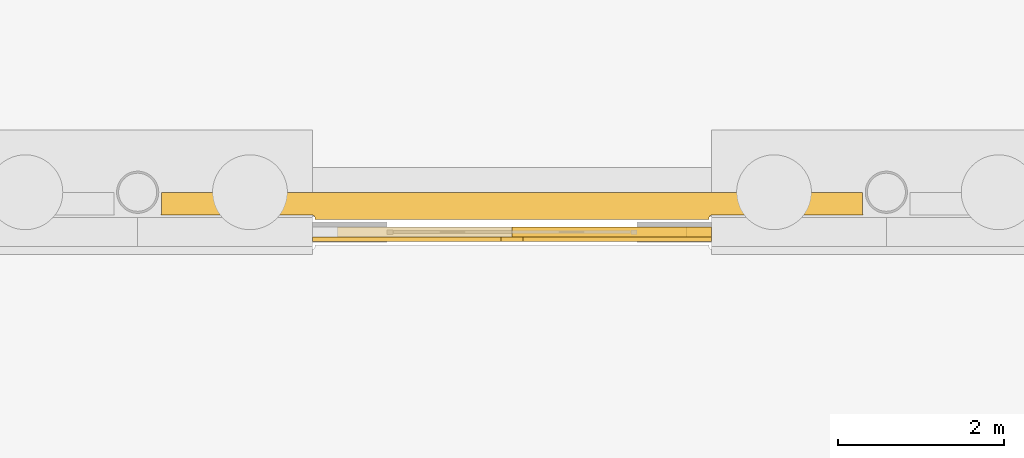
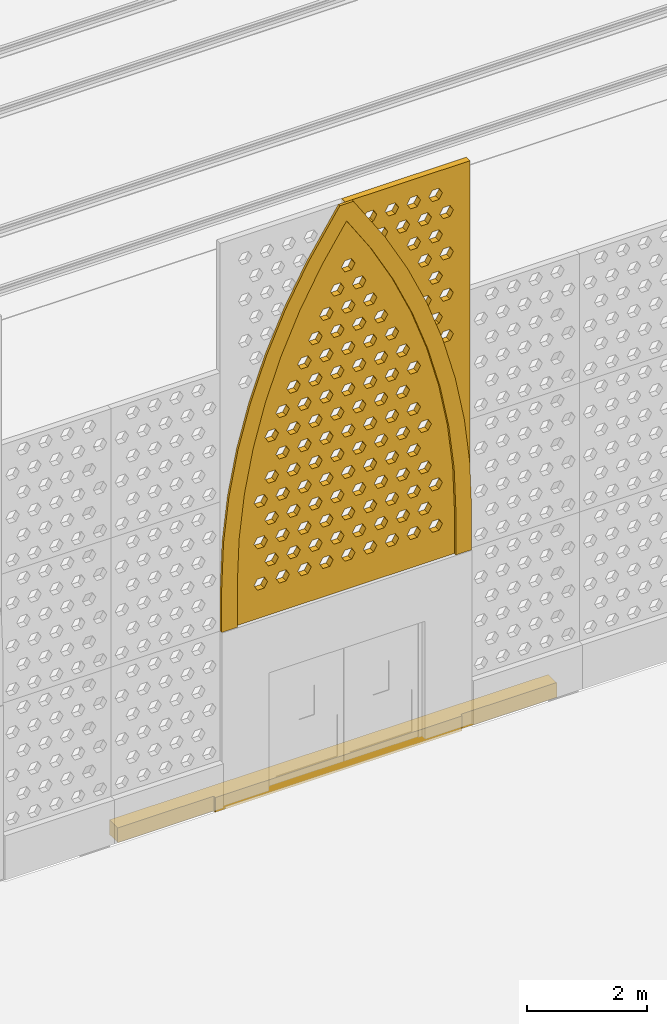
# One storey, part 201 of 250: 2 coverings, 2 shading devices.
"""IFC4 building model written with IfcOpenShell, lengths in metres."""

import ifcopenshell
import ifcopenshell.guid

model = None  # the IFC model being written
_history = None  # IfcOwnerHistory: only IFC2X3 demands one
_inside = {}  # id of a spatial element -> (the spatial element, [elements in it])
_under = {}  # id of a project, library or spatial element -> (it, [spatial elements below it])
_declared = {}  # id of a project -> (the project, [libraries it declares])
_typed = {}  # id of a type object -> (the type object, [elements of that type])
_made_of = {}  # id of a material, layer set ... -> (it, [elements and type objects made of it])


def new_model(schema):
    """Start an empty IFC model of exactly this schema.

    Asked for "IFC4X3", IfcOpenShell would pick the latest addendum, in which some entities
    have other attributes; the version numbers below select the first issue.
    IFC2X3 requires an IfcOwnerHistory on every rooted entity: one is made here for all.
    """
    global model, _history
    if schema == "IFC4X3":
        model = ifcopenshell.file(schema_version=(4, 3, 0, 0))
    else:
        model = ifcopenshell.file(schema=schema)
    _inside.clear()
    _under.clear()
    _declared.clear()
    _typed.clear()
    _made_of.clear()
    _history = None
    if model.schema == "IFC2X3":
        org = make("IfcOrganization", Name="unknown")
        user = make(
            "IfcPersonAndOrganization",
            ThePerson=make("IfcPerson", FamilyName="unknown"),
            TheOrganization=org,
        )
        app = make(
            "IfcApplication",
            ApplicationDeveloper=org,
            Version="unknown",
            ApplicationFullName="unknown",
            ApplicationIdentifier="unknown",
        )
        _history = make(
            "IfcOwnerHistory",
            OwningUser=user,
            OwningApplication=app,
            ChangeAction="ADDED",
            CreationDate=0,
        )
    return model


def make(cls, **values):
    """One entity of the class cls with the attributes given. An attribute that is None is left unset."""
    return model.create_entity(
        cls, **{name: value for name, value in values.items() if value is not None}
    )


def rooted(cls, **values):
    """An entity with a GlobalId (a new one), such as an element, a storey or a relation."""
    return make(cls, GlobalId=ifcopenshell.guid.new(), OwnerHistory=_history, **values)


def si_unit(unit_type, name, prefix=None):
    """IfcSIUnit, for example si_unit("LENGTHUNIT", "METRE", prefix="MILLI")."""
    return make("IfcSIUnit", UnitType=unit_type, Prefix=prefix, Name=name)


def assignment(units):
    """IfcUnitAssignment: the units of a project."""
    return None if units is None else make("IfcUnitAssignment", Units=units)


def point(xyz):
    """IfcCartesianPoint."""
    return None if xyz is None else make("IfcCartesianPoint", Coordinates=xyz)


def direction(xyz):
    """IfcDirection."""
    return None if xyz is None else make("IfcDirection", DirectionRatios=xyz)


def frame(location, z_axis=None, x_axis=None):
    """IfcAxis2Placement3D, a coordinate frame: its origin and axes. An axis left out is left unset."""
    return make(
        "IfcAxis2Placement3D",
        Location=point(location),
        Axis=direction(z_axis),
        RefDirection=direction(x_axis),
    )


def origin():
    """The frame at (0, 0, 0) with its axes left unset."""
    return frame((0.0, 0.0, 0.0))


def place(relative_to, where):
    """IfcLocalPlacement: puts the frame where relative to a parent placement (None: the world)."""
    return make(
        "IfcLocalPlacement", PlacementRelTo=relative_to, RelativePlacement=where
    )


def context(
    kind, dimensions, precision=None, world=None, true_north=None, identifier=None
):
    """IfcGeometricRepresentationContext, for example the 3D "Model" context."""
    return make(
        "IfcGeometricRepresentationContext",
        ContextIdentifier=identifier,
        ContextType=kind,
        CoordinateSpaceDimension=dimensions,
        Precision=precision,
        WorldCoordinateSystem=world,
        TrueNorth=true_north,
    )


def subcontext(parent, identifier, kind, view, scale=None):
    """IfcGeometricRepresentationSubContext, for example "Body" below "Model"."""
    return make(
        "IfcGeometricRepresentationSubContext",
        ContextIdentifier=identifier,
        ContextType=kind,
        ParentContext=parent,
        TargetScale=scale,
        TargetView=view,
    )


def project(units=None, contexts=None):
    """IfcProject with its units and contexts."""
    return rooted(
        "IfcProject",
        Name="project",
        RepresentationContexts=contexts,
        UnitsInContext=assignment(units),
    )


def spatial(cls, under=None, at=None, **own):
    """A site, building, storey or space (cls), placed at a placement, below another one or the project."""
    s = rooted(cls, ObjectPlacement=at, **own)
    if under is not None:
        _under.setdefault(under.id(), (under, []))[1].append(s)
    return s


def polyline(points):
    """IfcPolyline through the points."""
    return make("IfcPolyline", Points=[point(p) for p in points])


def outline(outer, holes=None, kind="AREA"):
    """IfcArbitraryClosedProfileDef: a profile drawn as a closed curve; with holes, ...WithVoids."""
    if holes is None:
        return make("IfcArbitraryClosedProfileDef", ProfileType=kind, OuterCurve=outer)
    return make(
        "IfcArbitraryProfileDefWithVoids",
        ProfileType=kind,
        OuterCurve=outer,
        InnerCurves=holes,
    )


def extrude(swept, where, along, depth):
    """IfcExtrudedAreaSolid: the profile swept, set in the frame where, extruded along a direction by depth."""
    return make(
        "IfcExtrudedAreaSolid",
        SweptArea=swept,
        Position=where,
        ExtrudedDirection=direction(along),
        Depth=depth,
    )


def shape(context_of_items, identifier, shape_type, items):
    """IfcShapeRepresentation: the items that make up one representation, for example the "Body"."""
    return make(
        "IfcShapeRepresentation",
        ContextOfItems=context_of_items,
        RepresentationIdentifier=identifier,
        RepresentationType=shape_type,
        Items=items,
    )


def material(Name=None, Category=None):
    """IfcMaterial."""
    return make("IfcMaterial", Name=Name, Category=Category)


def layer(
    of_material, thickness, ventilated=None, Name=None, Category=None, Priority=None
):
    """IfcMaterialLayer: one layer of a wall or slab, of a material (None: an air gap)."""
    return make(
        "IfcMaterialLayer",
        Material=of_material,
        LayerThickness=thickness,
        IsVentilated=ventilated,
        Name=Name,
        Category=Category,
        Priority=Priority,
    )


def layer_set(layers, Name=None):
    """IfcMaterialLayerSet."""
    return make("IfcMaterialLayerSet", MaterialLayers=layers, LayerSetName=Name)


def made_of(thing, what):
    """Note that an element or type object is made of a material, layer set ...; save() writes the relation."""
    if what is not None:
        _made_of.setdefault(what.id(), (what, []))[1].append(thing)
    return thing


def type_object(cls, material=None, **own):
    """A type object (cls), such as IfcWallType, which elements share."""
    return made_of(rooted(cls, **own), material)


def element(
    cls,
    number,
    at=None,
    inside=None,
    cuts=None,
    type_object=None,
    material=None,
    context=None,
    identifier="Body",
    shape_type=None,
    held_by="IfcProductDefinitionShape",
    body=None,
    shapes=None,
    **own,
):
    """One element of the class cls, such as IfcWall. Its Tag is "e" and its number.

    at: its placement. inside: the storey or other place that contains it. cuts: it is an
    opening in that element (IfcRelVoidsElement). A single representation is given by context,
    identifier, shape_type and body (its items); several are given by shapes. held_by: the class
    of the entity that holds the representations. save() writes the other relations.
    """
    e = rooted(cls, Tag="e%d" % number, ObjectPlacement=at, **own)
    if body is not None:
        shapes = [shape(context, identifier, shape_type, body)]
    if shapes is not None:
        e.Representation = make(held_by, Representations=shapes)
    if inside is not None:
        _inside.setdefault(inside.id(), (inside, []))[1].append(e)
    if cuts is not None:
        rooted(
            "IfcRelVoidsElement", RelatingBuildingElement=cuts, RelatedOpeningElement=e
        )
    if type_object is not None:
        _typed.setdefault(type_object.id(), (type_object, []))[1].append(e)
    return made_of(e, material)


def aggregate(whole, parts):
    """IfcRelAggregates: a whole, such as a stair, and the parts it consists of."""
    return rooted("IfcRelAggregates", RelatingObject=whole, RelatedObjects=parts)


def save(model, path):
    """Write the relations noted so far, then the file.

    IfcRelAggregates (storeys below a building ...), IfcRelContainedInSpatialStructure (elements
    in a storey), IfcRelDefinesByType, IfcRelAssociatesMaterial and IfcRelDeclares: one each for
    every whole, place, type object, material and project.
    """
    for whole, parts in _under.values():
        aggregate(whole, parts)
    for where, things in _inside.values():
        rooted(
            "IfcRelContainedInSpatialStructure",
            RelatedElements=things,
            RelatingStructure=where,
        )
    for kind, things in _typed.values():
        rooted("IfcRelDefinesByType", RelatedObjects=things, RelatingType=kind)
    for what, things in _made_of.values():
        rooted("IfcRelAssociatesMaterial", RelatedObjects=things, RelatingMaterial=what)
    for by, libraries in _declared.values():
        rooted("IfcRelDeclares", RelatingContext=by, RelatedDefinitions=libraries)
    model.write(path)


model = new_model("IFC4")

# Units and contexts
model_context = context("Model", 3, precision=1e-05, world=origin(), true_north=direction((0.0, 1.0)))
body_context = subcontext(model_context, "Body", "Model", "MODEL_VIEW")
ifc_project = project(units=[si_unit("LENGTHUNIT", "METRE"), si_unit("AREAUNIT", "SQUARE_METRE"), si_unit("VOLUMEUNIT", "CUBIC_METRE"), si_unit("PLANEANGLEUNIT", "RADIAN"), si_unit("MASSUNIT", "GRAM", prefix="KILO")], contexts=[model_context])

# Site, building, storey
site_placement = place(None, origin())
site = spatial("IfcSite", under=ifc_project, at=site_placement, CompositionType="ELEMENT")
building_placement = place(site_placement, origin())
building = spatial("IfcBuilding", under=site, at=building_placement, Name="Baradari Gate Terminus", CompositionType="ELEMENT")
storey_placement = place(building_placement, origin())
storey = spatial("IfcBuildingStorey", under=building, at=storey_placement, Name="L00", CompositionType="ELEMENT", Elevation=0.0)

# Covering
ifc_material_1 = material(Name="Laterite masonry", Category="masonry")
ifc_layer_1 = layer(ifc_material_1, 0.050048828125)
ifc_layer_set_1 = layer_set([ifc_layer_1], Name="Laterite masonry")
covering_type_1 = type_object("IfcCoveringType", Name="Arch ring RG-1 50", PredefinedType="CLADDING", material=ifc_layer_set_1)
covering_1_placement = place(storey_placement, frame((200.10009765625, 35.43505859375, 3.52490234375), z_axis=(0.0, 0.0, 1.0), x_axis=(1.0, 0.0, 0.0)))
element("IfcCovering", 1, at=covering_1_placement, inside=storey, type_object=covering_type_1, Name="Arch ring RG-1 SC05b", PredefinedType="CLADDING", context=body_context, shape_type="SweptSolid", body=[
    extrude(outline(polyline([(0.034423828125, 1.8046875), (0.0, 0.90576171875), (0.0, 0.0), (0.300048828125, 0.0), (0.300048828125, 0.900146484375), (0.333740234375, 1.78173828125), (0.435302734375, 2.658203125), (0.603515625, 3.5244140625), (0.837646484375, 4.375), (1.13623046875, 5.205322265625), (1.49755859375, 6.01025390625), (1.919677734375, 6.784912109375), (2.39990234375, 7.525146484375), (2.880126953125, 6.784912109375), (3.30224609375, 6.01025390625), (3.663818359375, 5.205322265625), (3.96240234375, 4.375), (4.196533203125, 3.5244140625), (4.36474609375, 2.658203125), (4.466064453125, 1.78173828125), (4.5, 0.900146484375), (4.5, 0.0), (4.800048828125, 0.0), (4.800048828125, 0.90576171875), (4.765380859375, 1.8046875), (4.66162109375, 2.7041015625), (4.48876953125, 3.5927734375), (4.24853515625, 4.4658203125), (3.942138671875, 5.317626953125), (3.5712890625, 6.1435546875), (3.13818359375, 6.9384765625), (2.530517578125, 7.875), (2.26953125, 7.875), (1.661865234375, 6.9384765625), (1.228759765625, 6.1435546875), (0.85791015625, 5.317626953125), (0.55126953125, 4.4658203125), (0.31103515625, 3.5927734375), (0.138427734375, 2.7041015625), (0.034423828125, 1.8046875)])), frame((0.0, 0.02490234375, 0.0), z_axis=(0.0, -1.0, 0.0), x_axis=(1.0, 0.0, 0.0)), (0.0, 0.0, 1.0), 0.050048828125),
])

# Shading devices
ifc_material_2 = material(Name="Concrete C50/60 precast", Category="concrete")
ifc_layer_2 = layer(ifc_material_2, 0.1201171875)
ifc_layer_set_2 = layer_set([ifc_layer_2], Name="Concrete C50/60 precast")
shading_device_type = type_object("IfcShadingDeviceType", Name="Jali screen panel JS-2 120", PredefinedType="SHUTTER", material=ifc_layer_set_2)
shading_device_1_placement = place(storey_placement, frame((200.39990234375, 35.52001953125, 3.52490234375), z_axis=(0.0, 0.0, 1.0), x_axis=(1.0, 0.0, 0.0)))
element("IfcShadingDevice", 2, at=shading_device_1_placement, inside=storey, type_object=shading_device_type, Name="Jali screen panel JS-2 SC05b arch A", PredefinedType="SHUTTER", context=body_context, shape_type="SweptSolid", body=[
    extrude(outline(polyline([(0.0, 0.900146484375), (0.0, 0.0), (4.199951171875, 0.0), (4.199951171875, 0.900146484375), (4.166259765625, 1.78173828125), (4.064697265625, 2.658203125), (3.896484375, 3.5244140625), (3.662353515625, 4.375), (3.36376953125, 5.205322265625), (3.00244140625, 6.01025390625), (2.580322265625, 6.784912109375), (2.10009765625, 7.525146484375), (1.619873046875, 6.784912109375), (1.19775390625, 6.01025390625), (0.836181640625, 5.205322265625), (0.53759765625, 4.375), (0.303466796875, 3.5244140625), (0.13525390625, 2.658203125), (0.033935546875, 1.78173828125), (0.0, 0.900146484375)]), holes=[polyline([(0.610107421875, 0.690185546875), (0.544921875, 0.57763671875), (0.4150390625, 0.57763671875), (0.35009765625, 0.690185546875), (0.4150390625, 0.802734375), (0.544921875, 0.802734375), (0.610107421875, 0.690185546875)]), polyline([(1.030029296875, 0.690185546875), (0.965087890625, 0.57763671875), (0.8349609375, 0.57763671875), (0.77001953125, 0.690185546875), (0.8349609375, 0.802734375), (0.965087890625, 0.802734375), (1.030029296875, 0.690185546875)]), polyline([(1.449951171875, 0.690185546875), (1.385009765625, 0.57763671875), (1.2548828125, 0.57763671875), (1.18994140625, 0.690185546875), (1.2548828125, 0.802734375), (1.385009765625, 0.802734375), (1.449951171875, 0.690185546875)]), polyline([(1.8701171875, 0.690185546875), (1.804931640625, 0.57763671875), (1.675048828125, 0.57763671875), (1.610107421875, 0.690185546875), (1.675048828125, 0.802734375), (1.804931640625, 0.802734375), (1.8701171875, 0.690185546875)]), polyline([(2.2900390625, 0.690185546875), (2.22509765625, 0.57763671875), (2.094970703125, 0.57763671875), (2.030029296875, 0.690185546875), (2.094970703125, 0.802734375), (2.22509765625, 0.802734375), (2.2900390625, 0.690185546875)]), polyline([(2.7099609375, 0.690185546875), (2.64501953125, 0.57763671875), (2.514892578125, 0.57763671875), (2.449951171875, 0.690185546875), (2.514892578125, 0.802734375), (2.64501953125, 0.802734375), (2.7099609375, 0.690185546875)]), polyline([(3.1298828125, 0.690185546875), (3.06494140625, 0.57763671875), (2.93505859375, 0.57763671875), (2.8701171875, 0.690185546875), (2.93505859375, 0.802734375), (3.06494140625, 0.802734375), (3.1298828125, 0.690185546875)]), polyline([(3.550048828125, 0.690185546875), (3.485107421875, 0.57763671875), (3.35498046875, 0.57763671875), (3.2900390625, 0.690185546875), (3.35498046875, 0.802734375), (3.485107421875, 0.802734375), (3.550048828125, 0.690185546875)]), polyline([(3.969970703125, 0.690185546875), (3.905029296875, 0.57763671875), (3.77490234375, 0.57763671875), (3.7099609375, 0.690185546875), (3.77490234375, 0.802734375), (3.905029296875, 0.802734375), (3.969970703125, 0.690185546875)]), polyline([(0.820068359375, 1.110107421875), (0.7548828125, 0.99755859375), (0.625, 0.99755859375), (0.56005859375, 1.110107421875), (0.625, 1.22265625), (0.7548828125, 1.22265625), (0.820068359375, 1.110107421875)]), polyline([(1.239990234375, 1.110107421875), (1.175048828125, 0.99755859375), (1.044921875, 0.99755859375), (0.97998046875, 1.110107421875), (1.044921875, 1.22265625), (1.175048828125, 1.22265625), (1.239990234375, 1.110107421875)]), polyline([(1.659912109375, 1.110107421875), (1.594970703125, 0.99755859375), (1.465087890625, 0.99755859375), (1.39990234375, 1.110107421875), (1.465087890625, 1.22265625), (1.594970703125, 1.22265625), (1.659912109375, 1.110107421875)]), polyline([(2.080078125, 1.110107421875), (2.014892578125, 0.99755859375), (1.885009765625, 0.99755859375), (1.820068359375, 1.110107421875), (1.885009765625, 1.22265625), (2.014892578125, 1.22265625), (2.080078125, 1.110107421875)]), polyline([(2.5, 1.110107421875), (2.43505859375, 0.99755859375), (2.304931640625, 0.99755859375), (2.239990234375, 1.110107421875), (2.304931640625, 1.22265625), (2.43505859375, 1.22265625), (2.5, 1.110107421875)]), polyline([(2.919921875, 1.110107421875), (2.85498046875, 0.99755859375), (2.72509765625, 0.99755859375), (2.659912109375, 1.110107421875), (2.72509765625, 1.22265625), (2.85498046875, 1.22265625), (2.919921875, 1.110107421875)]), polyline([(3.340087890625, 1.110107421875), (3.27490234375, 0.99755859375), (3.14501953125, 0.99755859375), (3.080078125, 1.110107421875), (3.14501953125, 1.22265625), (3.27490234375, 1.22265625), (3.340087890625, 1.110107421875)]), polyline([(3.760009765625, 1.110107421875), (3.695068359375, 0.99755859375), (3.56494140625, 0.99755859375), (3.5, 1.110107421875), (3.56494140625, 1.22265625), (3.695068359375, 1.22265625), (3.760009765625, 1.110107421875)]), polyline([(0.610107421875, 1.530029296875), (0.544921875, 1.41748046875), (0.4150390625, 1.41748046875), (0.35009765625, 1.530029296875), (0.4150390625, 1.642578125), (0.544921875, 1.642578125), (0.610107421875, 1.530029296875)]), polyline([(1.030029296875, 1.530029296875), (0.965087890625, 1.41748046875), (0.8349609375, 1.41748046875), (0.77001953125, 1.530029296875), (0.8349609375, 1.642578125), (0.965087890625, 1.642578125), (1.030029296875, 1.530029296875)]), polyline([(1.449951171875, 1.530029296875), (1.385009765625, 1.41748046875), (1.2548828125, 1.41748046875), (1.18994140625, 1.530029296875), (1.2548828125, 1.642578125), (1.385009765625, 1.642578125), (1.449951171875, 1.530029296875)]), polyline([(1.8701171875, 1.530029296875), (1.804931640625, 1.41748046875), (1.675048828125, 1.41748046875), (1.610107421875, 1.530029296875), (1.675048828125, 1.642578125), (1.804931640625, 1.642578125), (1.8701171875, 1.530029296875)]), polyline([(2.2900390625, 1.530029296875), (2.22509765625, 1.41748046875), (2.094970703125, 1.41748046875), (2.030029296875, 1.530029296875), (2.094970703125, 1.642578125), (2.22509765625, 1.642578125), (2.2900390625, 1.530029296875)]), polyline([(2.7099609375, 1.530029296875), (2.64501953125, 1.41748046875), (2.514892578125, 1.41748046875), (2.449951171875, 1.530029296875), (2.514892578125, 1.642578125), (2.64501953125, 1.642578125), (2.7099609375, 1.530029296875)]), polyline([(3.1298828125, 1.530029296875), (3.06494140625, 1.41748046875), (2.93505859375, 1.41748046875), (2.8701171875, 1.530029296875), (2.93505859375, 1.642578125), (3.06494140625, 1.642578125), (3.1298828125, 1.530029296875)]), polyline([(3.550048828125, 1.530029296875), (3.485107421875, 1.41748046875), (3.35498046875, 1.41748046875), (3.2900390625, 1.530029296875), (3.35498046875, 1.642578125), (3.485107421875, 1.642578125), (3.550048828125, 1.530029296875)]), polyline([(3.969970703125, 1.530029296875), (3.905029296875, 1.41748046875), (3.77490234375, 1.41748046875), (3.7099609375, 1.530029296875), (3.77490234375, 1.642578125), (3.905029296875, 1.642578125), (3.969970703125, 1.530029296875)]), polyline([(0.820068359375, 1.9501953125), (0.7548828125, 1.83740234375), (0.625, 1.83740234375), (0.56005859375, 1.9501953125), (0.625, 2.062744140625), (0.7548828125, 2.062744140625), (0.820068359375, 1.9501953125)]), polyline([(1.239990234375, 1.9501953125), (1.175048828125, 1.83740234375), (1.044921875, 1.83740234375), (0.97998046875, 1.9501953125), (1.044921875, 2.062744140625), (1.175048828125, 2.062744140625), (1.239990234375, 1.9501953125)]), polyline([(1.659912109375, 1.9501953125), (1.594970703125, 1.83740234375), (1.465087890625, 1.83740234375), (1.39990234375, 1.9501953125), (1.465087890625, 2.062744140625), (1.594970703125, 2.062744140625), (1.659912109375, 1.9501953125)]), polyline([(2.080078125, 1.9501953125), (2.014892578125, 1.83740234375), (1.885009765625, 1.83740234375), (1.820068359375, 1.9501953125), (1.885009765625, 2.062744140625), (2.014892578125, 2.062744140625), (2.080078125, 1.9501953125)]), polyline([(2.5, 1.9501953125), (2.43505859375, 1.83740234375), (2.304931640625, 1.83740234375), (2.239990234375, 1.9501953125), (2.304931640625, 2.062744140625), (2.43505859375, 2.062744140625), (2.5, 1.9501953125)]), polyline([(2.919921875, 1.9501953125), (2.85498046875, 1.83740234375), (2.72509765625, 1.83740234375), (2.659912109375, 1.9501953125), (2.72509765625, 2.062744140625), (2.85498046875, 2.062744140625), (2.919921875, 1.9501953125)]), polyline([(3.340087890625, 1.9501953125), (3.27490234375, 1.83740234375), (3.14501953125, 1.83740234375), (3.080078125, 1.9501953125), (3.14501953125, 2.062744140625), (3.27490234375, 2.062744140625), (3.340087890625, 1.9501953125)]), polyline([(3.760009765625, 1.9501953125), (3.695068359375, 1.83740234375), (3.56494140625, 1.83740234375), (3.5, 1.9501953125), (3.56494140625, 2.062744140625), (3.695068359375, 2.062744140625), (3.760009765625, 1.9501953125)]), polyline([(0.610107421875, 2.3701171875), (0.544921875, 2.257568359375), (0.4150390625, 2.257568359375), (0.35009765625, 2.3701171875), (0.4150390625, 2.482666015625), (0.544921875, 2.482666015625), (0.610107421875, 2.3701171875)]), polyline([(1.030029296875, 2.3701171875), (0.965087890625, 2.257568359375), (0.8349609375, 2.257568359375), (0.77001953125, 2.3701171875), (0.8349609375, 2.482666015625), (0.965087890625, 2.482666015625), (1.030029296875, 2.3701171875)]), polyline([(1.449951171875, 2.3701171875), (1.385009765625, 2.257568359375), (1.2548828125, 2.257568359375), (1.18994140625, 2.3701171875), (1.2548828125, 2.482666015625), (1.385009765625, 2.482666015625), (1.449951171875, 2.3701171875)]), polyline([(1.8701171875, 2.3701171875), (1.804931640625, 2.257568359375), (1.675048828125, 2.257568359375), (1.610107421875, 2.3701171875), (1.675048828125, 2.482666015625), (1.804931640625, 2.482666015625), (1.8701171875, 2.3701171875)]), polyline([(2.2900390625, 2.3701171875), (2.22509765625, 2.257568359375), (2.094970703125, 2.257568359375), (2.030029296875, 2.3701171875), (2.094970703125, 2.482666015625), (2.22509765625, 2.482666015625), (2.2900390625, 2.3701171875)]), polyline([(2.7099609375, 2.3701171875), (2.64501953125, 2.257568359375), (2.514892578125, 2.257568359375), (2.449951171875, 2.3701171875), (2.514892578125, 2.482666015625), (2.64501953125, 2.482666015625), (2.7099609375, 2.3701171875)]), polyline([(3.1298828125, 2.3701171875), (3.06494140625, 2.257568359375), (2.93505859375, 2.257568359375), (2.8701171875, 2.3701171875), (2.93505859375, 2.482666015625), (3.06494140625, 2.482666015625), (3.1298828125, 2.3701171875)]), polyline([(3.550048828125, 2.3701171875), (3.485107421875, 2.257568359375), (3.35498046875, 2.257568359375), (3.2900390625, 2.3701171875), (3.35498046875, 2.482666015625), (3.485107421875, 2.482666015625), (3.550048828125, 2.3701171875)]), polyline([(0.820068359375, 2.7900390625), (0.7548828125, 2.677490234375), (0.625, 2.677490234375), (0.56005859375, 2.7900390625), (0.625, 2.902587890625), (0.7548828125, 2.902587890625), (0.820068359375, 2.7900390625)]), polyline([(1.239990234375, 2.7900390625), (1.175048828125, 2.677490234375), (1.044921875, 2.677490234375), (0.97998046875, 2.7900390625), (1.044921875, 2.902587890625), (1.175048828125, 2.902587890625), (1.239990234375, 2.7900390625)]), polyline([(1.659912109375, 2.7900390625), (1.594970703125, 2.677490234375), (1.465087890625, 2.677490234375), (1.39990234375, 2.7900390625), (1.465087890625, 2.902587890625), (1.594970703125, 2.902587890625), (1.659912109375, 2.7900390625)]), polyline([(2.080078125, 2.7900390625), (2.014892578125, 2.677490234375), (1.885009765625, 2.677490234375), (1.820068359375, 2.7900390625), (1.885009765625, 2.902587890625), (2.014892578125, 2.902587890625), (2.080078125, 2.7900390625)]), polyline([(2.5, 2.7900390625), (2.43505859375, 2.677490234375), (2.304931640625, 2.677490234375), (2.239990234375, 2.7900390625), (2.304931640625, 2.902587890625), (2.43505859375, 2.902587890625), (2.5, 2.7900390625)]), polyline([(2.919921875, 2.7900390625), (2.85498046875, 2.677490234375), (2.72509765625, 2.677490234375), (2.659912109375, 2.7900390625), (2.72509765625, 2.902587890625), (2.85498046875, 2.902587890625), (2.919921875, 2.7900390625)]), polyline([(3.340087890625, 2.7900390625), (3.27490234375, 2.677490234375), (3.14501953125, 2.677490234375), (3.080078125, 2.7900390625), (3.14501953125, 2.902587890625), (3.27490234375, 2.902587890625), (3.340087890625, 2.7900390625)]), polyline([(3.760009765625, 2.7900390625), (3.695068359375, 2.677490234375), (3.56494140625, 2.677490234375), (3.5, 2.7900390625), (3.56494140625, 2.902587890625), (3.695068359375, 2.902587890625), (3.760009765625, 2.7900390625)]), polyline([(1.030029296875, 3.210205078125), (0.965087890625, 3.097412109375), (0.8349609375, 3.097412109375), (0.77001953125, 3.210205078125), (0.8349609375, 3.32275390625), (0.965087890625, 3.32275390625), (1.030029296875, 3.210205078125)]), polyline([(1.449951171875, 3.210205078125), (1.385009765625, 3.097412109375), (1.2548828125, 3.097412109375), (1.18994140625, 3.210205078125), (1.2548828125, 3.32275390625), (1.385009765625, 3.32275390625), (1.449951171875, 3.210205078125)]), polyline([(1.8701171875, 3.210205078125), (1.804931640625, 3.097412109375), (1.675048828125, 3.097412109375), (1.610107421875, 3.210205078125), (1.675048828125, 3.32275390625), (1.804931640625, 3.32275390625), (1.8701171875, 3.210205078125)]), polyline([(2.2900390625, 3.210205078125), (2.22509765625, 3.097412109375), (2.094970703125, 3.097412109375), (2.030029296875, 3.210205078125), (2.094970703125, 3.32275390625), (2.22509765625, 3.32275390625), (2.2900390625, 3.210205078125)]), polyline([(2.7099609375, 3.210205078125), (2.64501953125, 3.097412109375), (2.514892578125, 3.097412109375), (2.449951171875, 3.210205078125), (2.514892578125, 3.32275390625), (2.64501953125, 3.32275390625), (2.7099609375, 3.210205078125)]), polyline([(3.1298828125, 3.210205078125), (3.06494140625, 3.097412109375), (2.93505859375, 3.097412109375), (2.8701171875, 3.210205078125), (2.93505859375, 3.32275390625), (3.06494140625, 3.32275390625), (3.1298828125, 3.210205078125)]), polyline([(3.550048828125, 3.210205078125), (3.485107421875, 3.097412109375), (3.35498046875, 3.097412109375), (3.2900390625, 3.210205078125), (3.35498046875, 3.32275390625), (3.485107421875, 3.32275390625), (3.550048828125, 3.210205078125)]), polyline([(0.820068359375, 3.630126953125), (0.7548828125, 3.517578125), (0.625, 3.517578125), (0.56005859375, 3.630126953125), (0.625, 3.74267578125), (0.7548828125, 3.74267578125), (0.820068359375, 3.630126953125)]), polyline([(1.239990234375, 3.630126953125), (1.175048828125, 3.517578125), (1.044921875, 3.517578125), (0.97998046875, 3.630126953125), (1.044921875, 3.74267578125), (1.175048828125, 3.74267578125), (1.239990234375, 3.630126953125)]), polyline([(1.659912109375, 3.630126953125), (1.594970703125, 3.517578125), (1.465087890625, 3.517578125), (1.39990234375, 3.630126953125), (1.465087890625, 3.74267578125), (1.594970703125, 3.74267578125), (1.659912109375, 3.630126953125)]), polyline([(2.080078125, 3.630126953125), (2.014892578125, 3.517578125), (1.885009765625, 3.517578125), (1.820068359375, 3.630126953125), (1.885009765625, 3.74267578125), (2.014892578125, 3.74267578125), (2.080078125, 3.630126953125)]), polyline([(2.5, 3.630126953125), (2.43505859375, 3.517578125), (2.304931640625, 3.517578125), (2.239990234375, 3.630126953125), (2.304931640625, 3.74267578125), (2.43505859375, 3.74267578125), (2.5, 3.630126953125)]), polyline([(2.919921875, 3.630126953125), (2.85498046875, 3.517578125), (2.72509765625, 3.517578125), (2.659912109375, 3.630126953125), (2.72509765625, 3.74267578125), (2.85498046875, 3.74267578125), (2.919921875, 3.630126953125)]), polyline([(3.340087890625, 3.630126953125), (3.27490234375, 3.517578125), (3.14501953125, 3.517578125), (3.080078125, 3.630126953125), (3.14501953125, 3.74267578125), (3.27490234375, 3.74267578125), (3.340087890625, 3.630126953125)]), polyline([(1.030029296875, 4.050048828125), (0.965087890625, 3.9375), (0.8349609375, 3.9375), (0.77001953125, 4.050048828125), (0.8349609375, 4.16259765625), (0.965087890625, 4.16259765625), (1.030029296875, 4.050048828125)]), polyline([(1.449951171875, 4.050048828125), (1.385009765625, 3.9375), (1.2548828125, 3.9375), (1.18994140625, 4.050048828125), (1.2548828125, 4.16259765625), (1.385009765625, 4.16259765625), (1.449951171875, 4.050048828125)]), polyline([(1.8701171875, 4.050048828125), (1.804931640625, 3.9375), (1.675048828125, 3.9375), (1.610107421875, 4.050048828125), (1.675048828125, 4.16259765625), (1.804931640625, 4.16259765625), (1.8701171875, 4.050048828125)]), polyline([(2.2900390625, 4.050048828125), (2.22509765625, 3.9375), (2.094970703125, 3.9375), (2.030029296875, 4.050048828125), (2.094970703125, 4.16259765625), (2.22509765625, 4.16259765625), (2.2900390625, 4.050048828125)]), polyline([(2.7099609375, 4.050048828125), (2.64501953125, 3.9375), (2.514892578125, 3.9375), (2.449951171875, 4.050048828125), (2.514892578125, 4.16259765625), (2.64501953125, 4.16259765625), (2.7099609375, 4.050048828125)]), polyline([(3.1298828125, 4.050048828125), (3.06494140625, 3.9375), (2.93505859375, 3.9375), (2.8701171875, 4.050048828125), (2.93505859375, 4.16259765625), (3.06494140625, 4.16259765625), (3.1298828125, 4.050048828125)]), polyline([(3.550048828125, 4.050048828125), (3.485107421875, 3.9375), (3.35498046875, 3.9375), (3.2900390625, 4.050048828125), (3.35498046875, 4.16259765625), (3.485107421875, 4.16259765625), (3.550048828125, 4.050048828125)]), polyline([(1.239990234375, 4.47021484375), (1.175048828125, 4.357421875), (1.044921875, 4.357421875), (0.97998046875, 4.47021484375), (1.044921875, 4.582763671875), (1.175048828125, 4.582763671875), (1.239990234375, 4.47021484375)]), polyline([(1.659912109375, 4.47021484375), (1.594970703125, 4.357421875), (1.465087890625, 4.357421875), (1.39990234375, 4.47021484375), (1.465087890625, 4.582763671875), (1.594970703125, 4.582763671875), (1.659912109375, 4.47021484375)]), polyline([(2.080078125, 4.47021484375), (2.014892578125, 4.357421875), (1.885009765625, 4.357421875), (1.820068359375, 4.47021484375), (1.885009765625, 4.582763671875), (2.014892578125, 4.582763671875), (2.080078125, 4.47021484375)]), polyline([(2.5, 4.47021484375), (2.43505859375, 4.357421875), (2.304931640625, 4.357421875), (2.239990234375, 4.47021484375), (2.304931640625, 4.582763671875), (2.43505859375, 4.582763671875), (2.5, 4.47021484375)]), polyline([(2.919921875, 4.47021484375), (2.85498046875, 4.357421875), (2.72509765625, 4.357421875), (2.659912109375, 4.47021484375), (2.72509765625, 4.582763671875), (2.85498046875, 4.582763671875), (2.919921875, 4.47021484375)]), polyline([(3.340087890625, 4.47021484375), (3.27490234375, 4.357421875), (3.14501953125, 4.357421875), (3.080078125, 4.47021484375), (3.14501953125, 4.582763671875), (3.27490234375, 4.582763671875), (3.340087890625, 4.47021484375)]), polyline([(1.449951171875, 4.89013671875), (1.385009765625, 4.777587890625), (1.2548828125, 4.777587890625), (1.18994140625, 4.89013671875), (1.2548828125, 5.002685546875), (1.385009765625, 5.002685546875), (1.449951171875, 4.89013671875)]), polyline([(1.8701171875, 4.89013671875), (1.804931640625, 4.777587890625), (1.675048828125, 4.777587890625), (1.610107421875, 4.89013671875), (1.675048828125, 5.002685546875), (1.804931640625, 5.002685546875), (1.8701171875, 4.89013671875)]), polyline([(2.2900390625, 4.89013671875), (2.22509765625, 4.777587890625), (2.094970703125, 4.777587890625), (2.030029296875, 4.89013671875), (2.094970703125, 5.002685546875), (2.22509765625, 5.002685546875), (2.2900390625, 4.89013671875)]), polyline([(2.7099609375, 4.89013671875), (2.64501953125, 4.777587890625), (2.514892578125, 4.777587890625), (2.449951171875, 4.89013671875), (2.514892578125, 5.002685546875), (2.64501953125, 5.002685546875), (2.7099609375, 4.89013671875)]), polyline([(3.1298828125, 4.89013671875), (3.06494140625, 4.777587890625), (2.93505859375, 4.777587890625), (2.8701171875, 4.89013671875), (2.93505859375, 5.002685546875), (3.06494140625, 5.002685546875), (3.1298828125, 4.89013671875)]), polyline([(1.659912109375, 5.31005859375), (1.594970703125, 5.197509765625), (1.465087890625, 5.197509765625), (1.39990234375, 5.31005859375), (1.465087890625, 5.422607421875), (1.594970703125, 5.422607421875), (1.659912109375, 5.31005859375)]), polyline([(2.080078125, 5.31005859375), (2.014892578125, 5.197509765625), (1.885009765625, 5.197509765625), (1.820068359375, 5.31005859375), (1.885009765625, 5.422607421875), (2.014892578125, 5.422607421875), (2.080078125, 5.31005859375)]), polyline([(2.5, 5.31005859375), (2.43505859375, 5.197509765625), (2.304931640625, 5.197509765625), (2.239990234375, 5.31005859375), (2.304931640625, 5.422607421875), (2.43505859375, 5.422607421875), (2.5, 5.31005859375)]), polyline([(2.919921875, 5.31005859375), (2.85498046875, 5.197509765625), (2.72509765625, 5.197509765625), (2.659912109375, 5.31005859375), (2.72509765625, 5.422607421875), (2.85498046875, 5.422607421875), (2.919921875, 5.31005859375)]), polyline([(1.8701171875, 5.72998046875), (1.804931640625, 5.617431640625), (1.675048828125, 5.617431640625), (1.610107421875, 5.72998046875), (1.675048828125, 5.8427734375), (1.804931640625, 5.8427734375), (1.8701171875, 5.72998046875)]), polyline([(2.2900390625, 5.72998046875), (2.22509765625, 5.617431640625), (2.094970703125, 5.617431640625), (2.030029296875, 5.72998046875), (2.094970703125, 5.8427734375), (2.22509765625, 5.8427734375), (2.2900390625, 5.72998046875)]), polyline([(2.7099609375, 5.72998046875), (2.64501953125, 5.617431640625), (2.514892578125, 5.617431640625), (2.449951171875, 5.72998046875), (2.514892578125, 5.8427734375), (2.64501953125, 5.8427734375), (2.7099609375, 5.72998046875)]), polyline([(2.080078125, 6.150146484375), (2.014892578125, 6.03759765625), (1.885009765625, 6.03759765625), (1.820068359375, 6.150146484375), (1.885009765625, 6.2626953125), (2.014892578125, 6.2626953125), (2.080078125, 6.150146484375)]), polyline([(2.5, 6.150146484375), (2.43505859375, 6.03759765625), (2.304931640625, 6.03759765625), (2.239990234375, 6.150146484375), (2.304931640625, 6.2626953125), (2.43505859375, 6.2626953125), (2.5, 6.150146484375)]), polyline([(2.2900390625, 6.570068359375), (2.22509765625, 6.45751953125), (2.094970703125, 6.45751953125), (2.030029296875, 6.570068359375), (2.094970703125, 6.6826171875), (2.22509765625, 6.6826171875), (2.2900390625, 6.570068359375)])]), frame((0.0, 0.06005859375, 0.0), z_axis=(0.0, -1.0, 0.0), x_axis=(1.0, 0.0, 0.0)), (0.0, 0.0, 1.0), 0.1201171875),
])
shading_device_2_placement = place(storey_placement, frame((202.5, 35.52001953125, 3.52490234375), z_axis=(0.0, 0.0, 1.0), x_axis=(1.0, 0.0, 0.0)))
element("IfcShadingDevice", 3, at=shading_device_2_placement, inside=storey, type_object=shading_device_type, Name="Jali screen panel JS-2 SC05b arch R1", PredefinedType="SHUTTER", context=body_context, shape_type="SweptSolid", body=[
    extrude(outline(polyline([(0.0, 7.875), (0.0, 7.525146484375), (0.480224609375, 6.784912109375), (0.90234375, 6.01025390625), (1.263671875, 5.205322265625), (1.5625, 4.375), (1.796630859375, 3.5244140625), (1.96484375, 2.658203125), (2.066162109375, 1.78173828125), (2.10009765625, 0.900146484375), (2.10009765625, 0.0), (2.39990234375, 0.0), (2.39990234375, 7.875), (0.0, 7.875)]), holes=[polyline([(2.080078125, 4.47021484375), (2.014892578125, 4.357421875), (1.885009765625, 4.357421875), (1.820068359375, 4.47021484375), (1.885009765625, 4.582763671875), (2.014892578125, 4.582763671875), (2.080078125, 4.47021484375)]), polyline([(1.8701171875, 4.89013671875), (1.804931640625, 4.777587890625), (1.675048828125, 4.777587890625), (1.610107421875, 4.89013671875), (1.675048828125, 5.002685546875), (1.804931640625, 5.002685546875), (1.8701171875, 4.89013671875)]), polyline([(1.659912109375, 5.31005859375), (1.594970703125, 5.197509765625), (1.465087890625, 5.197509765625), (1.39990234375, 5.31005859375), (1.465087890625, 5.422607421875), (1.594970703125, 5.422607421875), (1.659912109375, 5.31005859375)]), polyline([(2.080078125, 5.31005859375), (2.014892578125, 5.197509765625), (1.885009765625, 5.197509765625), (1.820068359375, 5.31005859375), (1.885009765625, 5.422607421875), (2.014892578125, 5.422607421875), (2.080078125, 5.31005859375)]), polyline([(1.8701171875, 5.72998046875), (1.804931640625, 5.617431640625), (1.675048828125, 5.617431640625), (1.610107421875, 5.72998046875), (1.675048828125, 5.8427734375), (1.804931640625, 5.8427734375), (1.8701171875, 5.72998046875)]), polyline([(1.659912109375, 6.150146484375), (1.594970703125, 6.03759765625), (1.465087890625, 6.03759765625), (1.39990234375, 6.150146484375), (1.465087890625, 6.2626953125), (1.594970703125, 6.2626953125), (1.659912109375, 6.150146484375)]), polyline([(2.080078125, 6.150146484375), (2.014892578125, 6.03759765625), (1.885009765625, 6.03759765625), (1.820068359375, 6.150146484375), (1.885009765625, 6.2626953125), (2.014892578125, 6.2626953125), (2.080078125, 6.150146484375)]), polyline([(1.449951171875, 6.570068359375), (1.385009765625, 6.45751953125), (1.2548828125, 6.45751953125), (1.18994140625, 6.570068359375), (1.2548828125, 6.6826171875), (1.385009765625, 6.6826171875), (1.449951171875, 6.570068359375)]), polyline([(1.8701171875, 6.570068359375), (1.804931640625, 6.45751953125), (1.675048828125, 6.45751953125), (1.610107421875, 6.570068359375), (1.675048828125, 6.6826171875), (1.804931640625, 6.6826171875), (1.8701171875, 6.570068359375)]), polyline([(0.820068359375, 6.989990234375), (0.7548828125, 6.87744140625), (0.625, 6.87744140625), (0.56005859375, 6.989990234375), (0.625, 7.102783203125), (0.7548828125, 7.102783203125), (0.820068359375, 6.989990234375)]), polyline([(1.239990234375, 6.989990234375), (1.175048828125, 6.87744140625), (1.044921875, 6.87744140625), (0.97998046875, 6.989990234375), (1.044921875, 7.102783203125), (1.175048828125, 7.102783203125), (1.239990234375, 6.989990234375)]), polyline([(1.659912109375, 6.989990234375), (1.594970703125, 6.87744140625), (1.465087890625, 6.87744140625), (1.39990234375, 6.989990234375), (1.465087890625, 7.102783203125), (1.594970703125, 7.102783203125), (1.659912109375, 6.989990234375)]), polyline([(2.080078125, 6.989990234375), (2.014892578125, 6.87744140625), (1.885009765625, 6.87744140625), (1.820068359375, 6.989990234375), (1.885009765625, 7.102783203125), (2.014892578125, 7.102783203125), (2.080078125, 6.989990234375)]), polyline([(0.610107421875, 7.41015625), (0.544921875, 7.297607421875), (0.4150390625, 7.297607421875), (0.35009765625, 7.41015625), (0.4150390625, 7.522705078125), (0.544921875, 7.522705078125), (0.610107421875, 7.41015625)]), polyline([(1.030029296875, 7.41015625), (0.965087890625, 7.297607421875), (0.8349609375, 7.297607421875), (0.77001953125, 7.41015625), (0.8349609375, 7.522705078125), (0.965087890625, 7.522705078125), (1.030029296875, 7.41015625)]), polyline([(1.449951171875, 7.41015625), (1.385009765625, 7.297607421875), (1.2548828125, 7.297607421875), (1.18994140625, 7.41015625), (1.2548828125, 7.522705078125), (1.385009765625, 7.522705078125), (1.449951171875, 7.41015625)]), polyline([(1.8701171875, 7.41015625), (1.804931640625, 7.297607421875), (1.675048828125, 7.297607421875), (1.610107421875, 7.41015625), (1.675048828125, 7.522705078125), (1.804931640625, 7.522705078125), (1.8701171875, 7.41015625)])]), frame((0.0, 0.06005859375, 0.0), z_axis=(0.0, -1.0, 0.0), x_axis=(1.0, 0.0, 0.0)), (0.0, 0.0, 1.0), 0.1201171875),
])

# Covering
ifc_material_3 = material(Name="Planted lawn")
ifc_layer_3 = layer(ifc_material_3, 0.300048828125)
ifc_layer_set_3 = layer_set([ifc_layer_3], Name="Planted lawn")
covering_type_2 = type_object("IfcCoveringType", Name="Planted lawn bed LW-1 300", PredefinedType="USERDEFINED", material=ifc_layer_set_3)
covering_2_placement = place(storey_placement, frame((0.0, 0.0, -0.300048828125)))
element("IfcCovering", 4, at=covering_2_placement, inside=storey, type_object=covering_type_2, Name="Planted lawn 8", ObjectType="LAWN", PredefinedType="USERDEFINED", context=body_context, shape_type="SweptSolid", body=[
    extrude(outline(polyline([(198.280517578125, 35.73193359375), (198.279052734375, 35.729248046875), (198.277099609375, 35.72705078125), (198.275390625, 35.72509765625), (200.10009765625, 35.72509765625), (200.10302734375, 35.724853515625), (200.10595703125, 35.724365234375), (200.108642578125, 35.7236328125), (200.111572265625, 35.72265625), (200.1142578125, 35.721435546875), (200.11669921875, 35.719970703125), (200.119140625, 35.71826171875), (200.12109375, 35.71630859375), (200.123291015625, 35.714111328125), (200.125, 35.711669921875), (200.12646484375, 35.709228515625), (200.127685546875, 35.70654296875), (200.128662109375, 35.70361328125), (200.12939453125, 35.700927734375), (200.1298828125, 35.697998046875), (200.1298828125, 35.695068359375), (200.1298828125, 35.675048828125), (204.8701171875, 35.675048828125), (204.8701171875, 35.695068359375), (204.8701171875, 35.697998046875), (204.87060546875, 35.700927734375), (204.871337890625, 35.70361328125), (204.872314453125, 35.70654296875), (204.87353515625, 35.709228515625), (204.875, 35.711669921875), (204.876708984375, 35.714111328125), (204.87890625, 35.71630859375), (204.880859375, 35.71826171875), (204.88330078125, 35.719970703125), (204.8857421875, 35.721435546875), (204.888427734375, 35.72265625), (204.891357421875, 35.7236328125), (204.89404296875, 35.724365234375), (204.89697265625, 35.724853515625), (204.89990234375, 35.72509765625), (206.724609375, 35.72509765625), (206.722900390625, 35.72705078125), (206.720947265625, 35.729248046875), (206.719482421875, 35.73193359375), (206.71826171875, 35.734619140625), (206.71728515625, 35.7373046875), (206.716552734375, 35.740234375), (206.716064453125, 35.7431640625), (206.716064453125, 35.74609375), (206.716064453125, 36.0), (198.283935546875, 36.0), (198.283935546875, 35.74609375), (198.283935546875, 35.7431640625), (198.283447265625, 35.740234375), (198.28271484375, 35.7373046875), (198.28173828125, 35.734619140625), (198.280517578125, 35.73193359375)])), origin(), (0.0, 0.0, 1.0), 0.300048828125),
])

save(model, "model.ifc")
